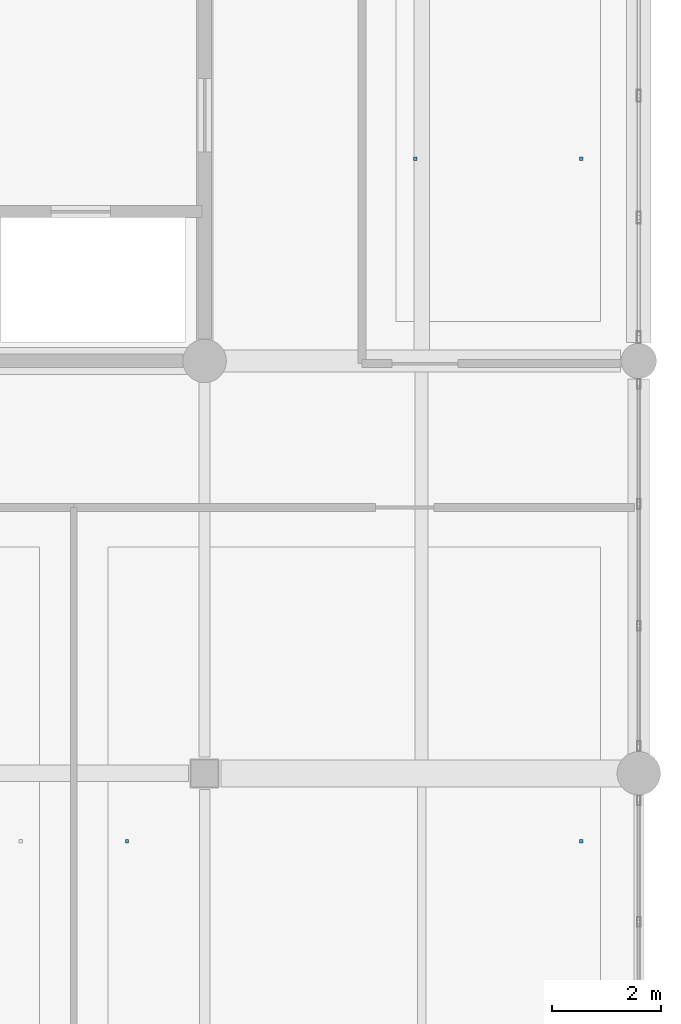
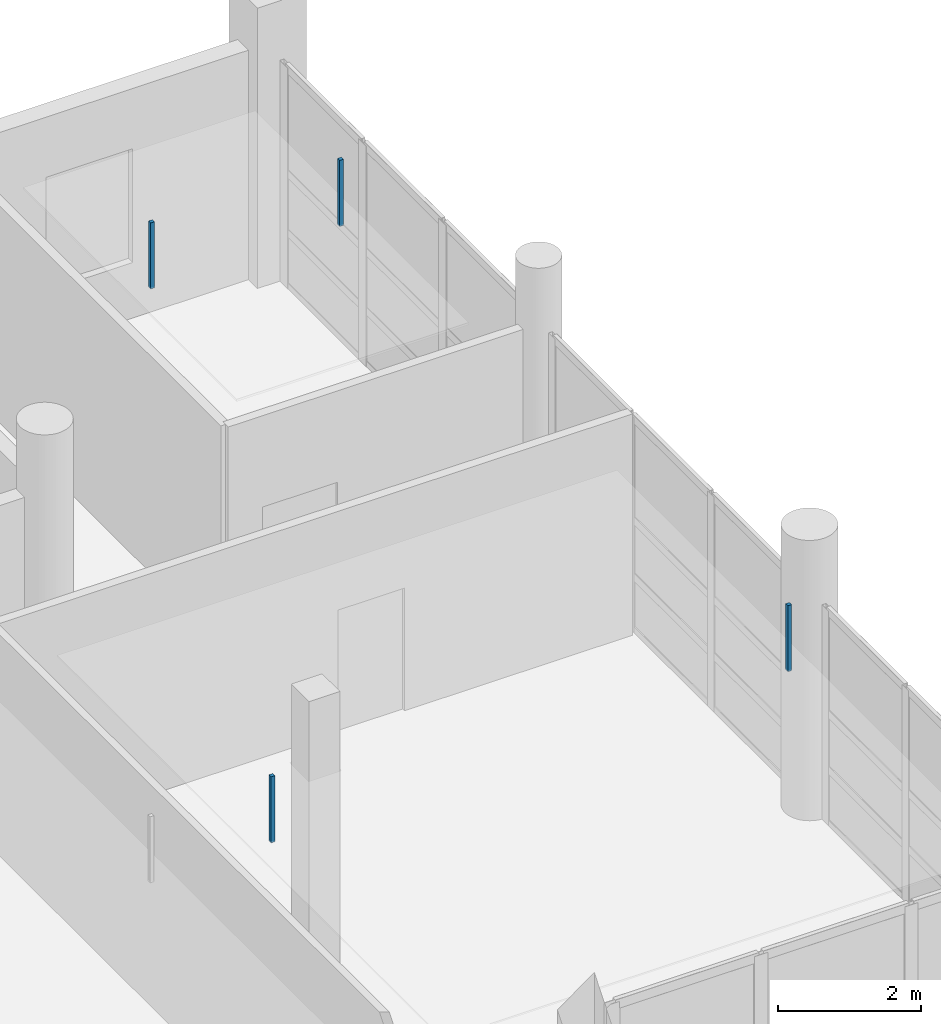
# One storey, part 40 of 46: 4 discrete accessories.
"""IFC4 building model written with IfcOpenShell, lengths in metres."""

import ifcopenshell
import ifcopenshell.guid

model = None  # the IFC model being written
_history = None  # IfcOwnerHistory: only IFC2X3 demands one
_inside = {}  # id of a spatial element -> (the spatial element, [elements in it])
_under = {}  # id of a project, library or spatial element -> (it, [spatial elements below it])
_declared = {}  # id of a project -> (the project, [libraries it declares])
_typed = {}  # id of a type object -> (the type object, [elements of that type])
_made_of = {}  # id of a material, layer set ... -> (it, [elements and type objects made of it])


def new_model(schema):
    """Start an empty IFC model of exactly this schema.

    Asked for "IFC4X3", IfcOpenShell would pick the latest addendum, in which some entities
    have other attributes; the version numbers below select the first issue.
    IFC2X3 requires an IfcOwnerHistory on every rooted entity: one is made here for all.
    """
    global model, _history
    if schema == "IFC4X3":
        model = ifcopenshell.file(schema_version=(4, 3, 0, 0))
    else:
        model = ifcopenshell.file(schema=schema)
    _inside.clear()
    _under.clear()
    _declared.clear()
    _typed.clear()
    _made_of.clear()
    _history = None
    if model.schema == "IFC2X3":
        org = make("IfcOrganization", Name="unknown")
        user = make(
            "IfcPersonAndOrganization",
            ThePerson=make("IfcPerson", FamilyName="unknown"),
            TheOrganization=org,
        )
        app = make(
            "IfcApplication",
            ApplicationDeveloper=org,
            Version="unknown",
            ApplicationFullName="unknown",
            ApplicationIdentifier="unknown",
        )
        _history = make(
            "IfcOwnerHistory",
            OwningUser=user,
            OwningApplication=app,
            ChangeAction="ADDED",
            CreationDate=0,
        )
    return model


def make(cls, **values):
    """One entity of the class cls with the attributes given. An attribute that is None is left unset."""
    return model.create_entity(
        cls, **{name: value for name, value in values.items() if value is not None}
    )


def rooted(cls, **values):
    """An entity with a GlobalId (a new one), such as an element, a storey or a relation."""
    return make(cls, GlobalId=ifcopenshell.guid.new(), OwnerHistory=_history, **values)


def si_unit(unit_type, name, prefix=None):
    """IfcSIUnit, for example si_unit("LENGTHUNIT", "METRE", prefix="MILLI")."""
    return make("IfcSIUnit", UnitType=unit_type, Prefix=prefix, Name=name)


def assignment(units):
    """IfcUnitAssignment: the units of a project."""
    return None if units is None else make("IfcUnitAssignment", Units=units)


def point(xyz):
    """IfcCartesianPoint."""
    return None if xyz is None else make("IfcCartesianPoint", Coordinates=xyz)


def direction(xyz):
    """IfcDirection."""
    return None if xyz is None else make("IfcDirection", DirectionRatios=xyz)


def frame(location, z_axis=None, x_axis=None):
    """IfcAxis2Placement3D, a coordinate frame: its origin and axes. An axis left out is left unset."""
    return make(
        "IfcAxis2Placement3D",
        Location=point(location),
        Axis=direction(z_axis),
        RefDirection=direction(x_axis),
    )


def frame_2d(location, x_axis=None):
    """IfcAxis2Placement2D, a coordinate frame in the plane: its origin and x axis."""
    return make(
        "IfcAxis2Placement2D", Location=point(location), RefDirection=direction(x_axis)
    )


def origin():
    """The frame at (0, 0, 0) with its axes left unset."""
    return frame((0.0, 0.0, 0.0))


def origin_2d():
    """The frame at (0, 0) in the plane with its x axis left unset."""
    return frame_2d((0.0, 0.0))


def place(relative_to, where):
    """IfcLocalPlacement: puts the frame where relative to a parent placement (None: the world)."""
    return make(
        "IfcLocalPlacement", PlacementRelTo=relative_to, RelativePlacement=where
    )


def context(
    kind, dimensions, precision=None, world=None, true_north=None, identifier=None
):
    """IfcGeometricRepresentationContext, for example the 3D "Model" context."""
    return make(
        "IfcGeometricRepresentationContext",
        ContextIdentifier=identifier,
        ContextType=kind,
        CoordinateSpaceDimension=dimensions,
        Precision=precision,
        WorldCoordinateSystem=world,
        TrueNorth=true_north,
    )


def subcontext(parent, identifier, kind, view, scale=None):
    """IfcGeometricRepresentationSubContext, for example "Body" below "Model"."""
    return make(
        "IfcGeometricRepresentationSubContext",
        ContextIdentifier=identifier,
        ContextType=kind,
        ParentContext=parent,
        TargetScale=scale,
        TargetView=view,
    )


def project(units=None, contexts=None):
    """IfcProject with its units and contexts."""
    return rooted(
        "IfcProject",
        Name="project",
        RepresentationContexts=contexts,
        UnitsInContext=assignment(units),
    )


def spatial(cls, under=None, at=None, **own):
    """A site, building, storey or space (cls), placed at a placement, below another one or the project."""
    s = rooted(cls, ObjectPlacement=at, **own)
    if under is not None:
        _under.setdefault(under.id(), (under, []))[1].append(s)
    return s


def profile(cls, at=None, kind="AREA", **sizes):
    """A parametric profile (cls). Its sizes go by their IFC names, for example OverallWidth=200.0."""
    return make(cls, ProfileType=kind, Position=at, **sizes)


def rectangle(**sizes):
    """IfcRectangleProfileDef."""
    return profile("IfcRectangleProfileDef", **sizes)


def extrude(swept, where, along, depth):
    """IfcExtrudedAreaSolid: the profile swept, set in the frame where, extruded along a direction by depth."""
    return make(
        "IfcExtrudedAreaSolid",
        SweptArea=swept,
        Position=where,
        ExtrudedDirection=direction(along),
        Depth=depth,
    )


def shape(context_of_items, identifier, shape_type, items):
    """IfcShapeRepresentation: the items that make up one representation, for example the "Body"."""
    return make(
        "IfcShapeRepresentation",
        ContextOfItems=context_of_items,
        RepresentationIdentifier=identifier,
        RepresentationType=shape_type,
        Items=items,
    )


def material(Name=None, Category=None):
    """IfcMaterial."""
    return make("IfcMaterial", Name=Name, Category=Category)


def made_of(thing, what):
    """Note that an element or type object is made of a material, layer set ...; save() writes the relation."""
    if what is not None:
        _made_of.setdefault(what.id(), (what, []))[1].append(thing)
    return thing


def type_object(cls, material=None, **own):
    """A type object (cls), such as IfcWallType, which elements share."""
    return made_of(rooted(cls, **own), material)


def element(
    cls,
    number,
    at=None,
    inside=None,
    cuts=None,
    type_object=None,
    material=None,
    context=None,
    identifier="Body",
    shape_type=None,
    held_by="IfcProductDefinitionShape",
    body=None,
    shapes=None,
    **own,
):
    """One element of the class cls, such as IfcWall. Its Tag is "e" and its number.

    at: its placement. inside: the storey or other place that contains it. cuts: it is an
    opening in that element (IfcRelVoidsElement). A single representation is given by context,
    identifier, shape_type and body (its items); several are given by shapes. held_by: the class
    of the entity that holds the representations. save() writes the other relations.
    """
    e = rooted(cls, Tag="e%d" % number, ObjectPlacement=at, **own)
    if body is not None:
        shapes = [shape(context, identifier, shape_type, body)]
    if shapes is not None:
        e.Representation = make(held_by, Representations=shapes)
    if inside is not None:
        _inside.setdefault(inside.id(), (inside, []))[1].append(e)
    if cuts is not None:
        rooted(
            "IfcRelVoidsElement", RelatingBuildingElement=cuts, RelatedOpeningElement=e
        )
    if type_object is not None:
        _typed.setdefault(type_object.id(), (type_object, []))[1].append(e)
    return made_of(e, material)


def aggregate(whole, parts):
    """IfcRelAggregates: a whole, such as a stair, and the parts it consists of."""
    return rooted("IfcRelAggregates", RelatingObject=whole, RelatedObjects=parts)


def save(model, path):
    """Write the relations noted so far, then the file.

    IfcRelAggregates (storeys below a building ...), IfcRelContainedInSpatialStructure (elements
    in a storey), IfcRelDefinesByType, IfcRelAssociatesMaterial and IfcRelDeclares: one each for
    every whole, place, type object, material and project.
    """
    for whole, parts in _under.values():
        aggregate(whole, parts)
    for where, things in _inside.values():
        rooted(
            "IfcRelContainedInSpatialStructure",
            RelatedElements=things,
            RelatingStructure=where,
        )
    for kind, things in _typed.values():
        rooted("IfcRelDefinesByType", RelatedObjects=things, RelatingType=kind)
    for what, things in _made_of.values():
        rooted("IfcRelAssociatesMaterial", RelatedObjects=things, RelatingMaterial=what)
    for by, libraries in _declared.values():
        rooted("IfcRelDeclares", RelatingContext=by, RelatedDefinitions=libraries)
    model.write(path)


model = new_model("IFC4")

# Units and contexts
model_context = context("Model", 3, precision=1e-05, world=origin(), true_north=direction((0.0, 1.0)))
body_context = subcontext(model_context, "Body", "Model", "MODEL_VIEW")
ifc_project = project(units=[si_unit("LENGTHUNIT", "METRE"), si_unit("AREAUNIT", "SQUARE_METRE"), si_unit("VOLUMEUNIT", "CUBIC_METRE"), si_unit("PLANEANGLEUNIT", "RADIAN"), si_unit("MASSUNIT", "GRAM", prefix="KILO")], contexts=[model_context])

# Site, building, storey
site_placement = place(None, origin())
site = spatial("IfcSite", under=ifc_project, at=site_placement, CompositionType="ELEMENT")
building_placement = place(site_placement, origin())
building = spatial("IfcBuilding", under=site, at=building_placement, Name="Khelvaren Railside Concert Hall", CompositionType="ELEMENT")
storey_placement = place(building_placement, frame((0.0, 0.0, 19.800048828125)))
storey = spatial("IfcBuildingStorey", under=building, at=storey_placement, Name="L04", CompositionType="ELEMENT", Elevation=19.800048828125)

# Discrete accessories
ifc_material = material(Name="Galvanised steel acoustic ceiling hanger rod", Category="steel")
discrete_accessory_type = type_object("IfcDiscreteAccessoryType", Name="BRK62", PredefinedType="BRACKET", material=ifc_material)
for number, where, z_axis, x_axis, name in (
    (1, (174.570068359375, 97.550048828125, 3.429931640625), (0.0, 0.0, 1.0), (1.0, 0.0, 0.0), "Acoustic Ceiling Suspension Bracket 165-1"),
    (2, (182.93994140625, 97.550048828125, 3.429931640625), (0.0, 0.0, 1.0), (1.0, 0.0, 0.0), "Acoustic Ceiling Suspension Bracket 165-2"),
    (3, (179.8798828125, 110.125, 3.429931640625), (0.0, 0.0, 1.0), (1.0, 0.0, 0.0), "Acoustic Ceiling Suspension Bracket 168-1"),
    (4, (182.93994140625, 110.125, 3.429931640625), (0.0, 0.0, 1.0), (1.0, 0.0, 0.0), "Acoustic Ceiling Suspension Bracket 168-2"),
):
    element("IfcDiscreteAccessory", number, at=place(storey_placement, frame(where, z_axis=z_axis, x_axis=x_axis)), inside=storey, type_object=discrete_accessory_type, Name=name, PredefinedType="BRACKET", context=body_context, shape_type="SweptSolid", body=[
        extrude(rectangle(XDim=0.06005859375, YDim=0.06005859375, at=origin_2d()), origin(), (0.0, 0.0, 1.0), 1.1298828125),
    ])

save(model, "model.ifc")
